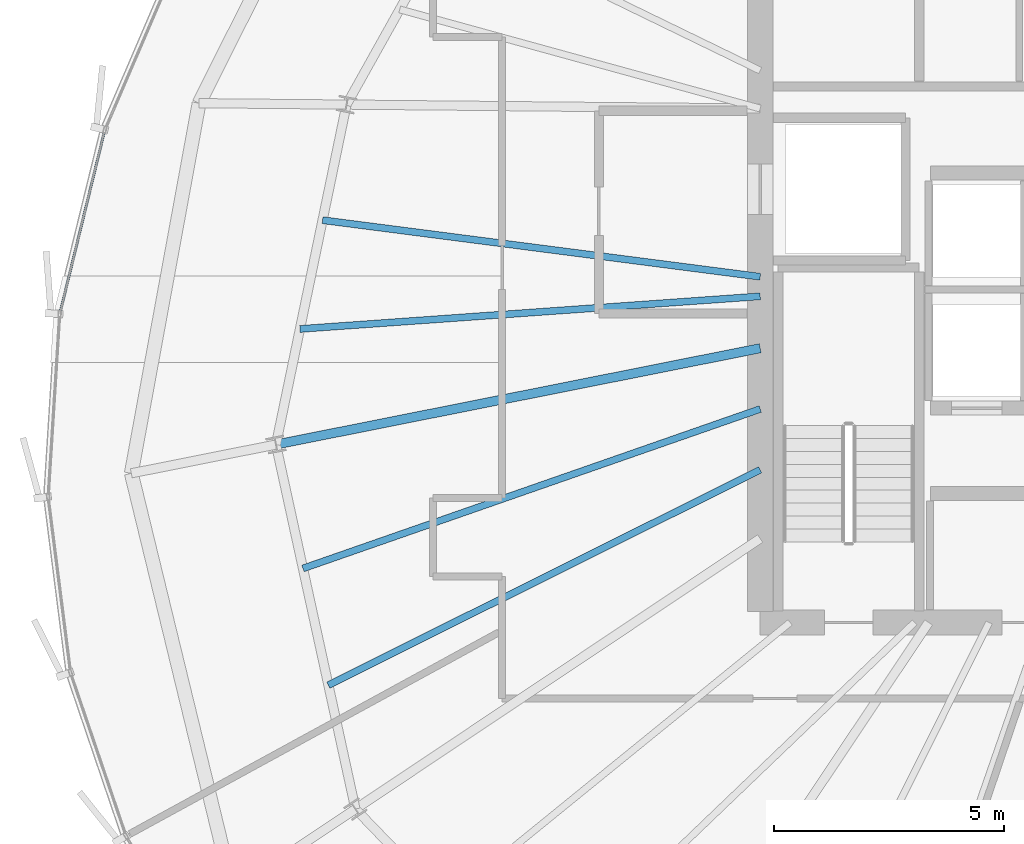
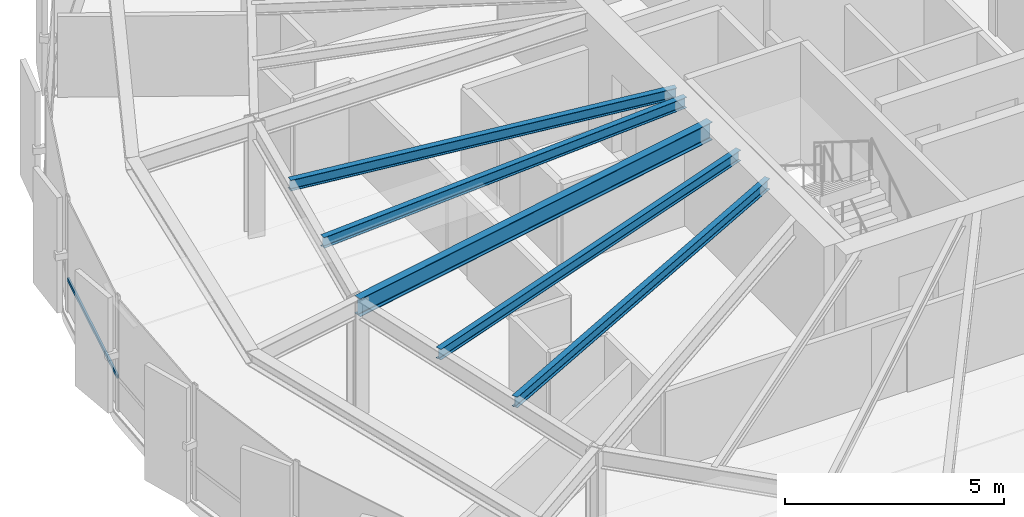
# One storey, part 10 of 34: 5 beams, 1 member, 1 element without a shape of its own.
"""IFC4 building model written with IfcOpenShell, lengths in metres."""

from ifc_helpers import new_model, si_unit, direction, frame, origin, origin_2d, place, context, subcontext, project, spatial, hollow_rectangle, i_section, extrude, source, transform, mapped, material, layer, layer_set, material_profile, profile_set, type_object, element, aggregate, save


model = new_model("IFC4")

# Units and contexts
model_context = context("Model", 3, precision=1e-05, world=origin(), true_north=direction((0.0, 1.0)))
body_context = subcontext(model_context, "Body", "Model", "MODEL_VIEW")
ifc_project = project(units=[si_unit("LENGTHUNIT", "METRE"), si_unit("AREAUNIT", "SQUARE_METRE"), si_unit("VOLUMEUNIT", "CUBIC_METRE"), si_unit("PLANEANGLEUNIT", "RADIAN"), si_unit("MASSUNIT", "GRAM", prefix="KILO"), si_unit("THERMODYNAMICTEMPERATUREUNIT", "KELVIN")], contexts=[model_context])

# Site, building, storey
site_placement = place(None, origin())
site = spatial("IfcSite", under=ifc_project, at=site_placement, CompositionType="ELEMENT")
building_placement = place(site_placement, origin())
building = spatial("IfcBuilding", under=site, at=building_placement, Name="Kethvar Cultural Tower", CompositionType="ELEMENT")
storey_placement = place(building_placement, frame((0.0, 0.0, 183.39990234375)))
storey = spatial("IfcBuildingStorey", under=building, at=storey_placement, Name="L47", CompositionType="ELEMENT", Elevation=183.39990234375)

# Beams
ifc_material_1 = material(Name="Steel S355J2", Category="steel")
ifc_material_profile_1 = material_profile(ifc_material_1, i_section(OverallWidth=0.199951171875, OverallDepth=0.5, WebThickness=0.01025390625, FlangeThickness=0.01611328125, FilletRadius=0.02099609375, at=origin_2d()), Name="Steel S355J2 — IPE500")
ifc_profile_set_1 = profile_set([ifc_material_profile_1], Name="Steel S355J2 — IPE500")
beam_type_1 = type_object("IfcBeamType", Name="BM-IPE500", PredefinedType="BEAM", material=ifc_profile_set_1)
shared_shape_1 = source(origin(), body_context, "Body", "SweptSolid", [
    extrude(i_section(OverallWidth=0.199951171875, OverallDepth=0.5, WebThickness=0.01025390625, FlangeThickness=0.01611328125, FilletRadius=0.02099609375, at=origin_2d()), origin(), (0.0, 0.0, 1.0), 10.712890625),
])
beam_1_placement = place(storey_placement, frame((38.0, 26.049560546875, 3.008056640625), z_axis=(-0.980787859831, -0.195077353908, 0.0), x_axis=(0.195077353908, -0.980787859831, 0.0)))
element("IfcBeam", 1, at=beam_1_placement, inside=storey, type_object=beam_type_1, Name="L47 Primary Radial Beam RB-09", PredefinedType="BEAM", context=body_context, shape_type="MappedRepresentation", body=[
    mapped(shared_shape_1, transform((0.0, 0.0, 0.0), scale=1.0)),
])
ifc_material_profile_2 = material_profile(ifc_material_1, i_section(OverallWidth=0.14990234375, OverallDepth=0.300048828125, WebThickness=0.007080078125, FlangeThickness=0.0107421875, FilletRadius=0.014892578125, at=origin_2d()), Name="Steel S355J2 — IPE300")
ifc_profile_set_2 = profile_set([ifc_material_profile_2], Name="Steel S355J2 — IPE300")
beam_type_2 = type_object("IfcBeamType", Name="BM-J300", PredefinedType="JOIST", material=ifc_profile_set_2)
shared_shape_2 = source(origin(), body_context, "Body", "SweptSolid", [
    extrude(i_section(OverallWidth=0.14990234375, OverallDepth=0.300048828125, WebThickness=0.007080078125, FlangeThickness=0.0107421875, FilletRadius=0.014892578125, at=origin_2d()), origin(), (0.0, 0.0, 1.0), 9.5751953125),
])
beam_2_placement = place(storey_placement, frame((38.0, 27.60009765625, 3.108154296875), z_axis=(-0.991744950922, 0.128226176424, 0.0), x_axis=(-0.128226176424, -0.991744950922, 0.0)))
element("IfcBeam", 2, at=beam_2_placement, inside=storey, type_object=beam_type_2, Name="L47 Composite Floor Joist J-08A", PredefinedType="JOIST", context=body_context, shape_type="MappedRepresentation", body=[
    mapped(shared_shape_2, transform((0.0, 0.0, 0.0), scale=1.0)),
])
shared_shape_3 = source(origin(), body_context, "Body", "SweptSolid", [
    extrude(i_section(OverallWidth=0.14990234375, OverallDepth=0.300048828125, WebThickness=0.007080078125, FlangeThickness=0.0107421875, FilletRadius=0.014892578125, at=origin_2d()), origin(), (0.0, 0.0, 1.0), 10.01123046875),
])
beam_3_placement = place(storey_placement, frame((38.0, 27.17578125, 3.108154296875), z_axis=(-0.997494349679, -0.070746182637, 0.0), x_axis=(0.070746182637, -0.997494349679, 0.0)))
element("IfcBeam", 3, at=beam_3_placement, inside=storey, type_object=beam_type_2, Name="L47 Composite Floor Joist J-08B", PredefinedType="JOIST", context=body_context, shape_type="MappedRepresentation", body=[
    mapped(shared_shape_3, transform((0.0, 0.0, 0.0), scale=1.0)),
])
shared_shape_4 = source(origin(), body_context, "Body", "SweptSolid", [
    extrude(i_section(OverallWidth=0.14990234375, OverallDepth=0.300048828125, WebThickness=0.007080078125, FlangeThickness=0.0107421875, FilletRadius=0.014892578125, at=origin_2d()), origin(), (0.0, 0.0, 1.0), 10.506591796875),
])
beam_4_placement = place(storey_placement, frame((38.0, 24.73095703125, 3.108154296875), z_axis=(-0.944221858738, -0.329310008171, 0.0), x_axis=(0.329310008171, -0.944221858738, 0.0)))
element("IfcBeam", 4, at=beam_4_placement, inside=storey, type_object=beam_type_2, Name="L47 Composite Floor Joist J-09A", PredefinedType="JOIST", context=body_context, shape_type="MappedRepresentation", body=[
    mapped(shared_shape_4, transform((0.0, 0.0, 0.0), scale=1.0)),
])
shared_shape_5 = source(origin(), body_context, "Body", "SweptSolid", [
    extrude(i_section(OverallWidth=0.14990234375, OverallDepth=0.300048828125, WebThickness=0.007080078125, FlangeThickness=0.0107421875, FilletRadius=0.014892578125, at=origin_2d()), origin(), (0.0, 0.0, 1.0), 10.468994140625),
])
beam_5_placement = place(storey_placement, frame((38.0, 23.412109375, 3.108154296875), z_axis=(-0.894916380948, -0.446233874904, 0.0), x_axis=(0.446233874904, -0.894916380948, 0.0)))
element("IfcBeam", 5, at=beam_5_placement, inside=storey, type_object=beam_type_2, Name="L47 Composite Floor Joist J-09B", PredefinedType="JOIST", context=body_context, shape_type="MappedRepresentation", body=[
    mapped(shared_shape_5, transform((0.0, 0.0, 0.0), scale=1.0)),
])

# Curtain wall, member
ifc_material_2 = material(Name="Aluminium 6063-T6", Category="aluminium")
ifc_layer = layer(ifc_material_2, 0.179931640625, Name="Aluminium 6063-T6", Category="aluminium")
ifc_layer_set = layer_set([ifc_layer], Name="Aluminium 6063-T6 (180 mm)")
curtain_wall_type = type_object("IfcCurtainWallType", Name="CW-SYS-04-Z34", PredefinedType="NOTDEFINED", material=ifc_layer_set)
curtain_wall_placement = place(storey_placement, origin())
curtain_wall = element("IfcCurtainWall", 6, at=curtain_wall_placement, inside=storey, type_object=curtain_wall_type, Name="L47 Curtain Wall Run 03", PredefinedType="NOTDEFINED")
ifc_material_profile_3 = material_profile(ifc_material_2, hollow_rectangle(XDim=0.050048828125, YDim=0.10009765625, WallThickness=0.00390625, at=origin_2d()), Name="Aluminium 6063-T6 — RHS100x50x4")
ifc_profile_set_3 = profile_set([ifc_material_profile_3], Name="Aluminium 6063-T6 — RHS100x50x4")
member_type = type_object("IfcMemberType", Name="CW-SYS-04-Z34-TRN", PredefinedType="USERDEFINED", material=ifc_profile_set_3)
shared_shape_6 = source(origin(), body_context, "Body", "SweptSolid", [
    extrude(hollow_rectangle(XDim=0.050048828125, YDim=0.10009765625, WallThickness=0.00390625, at=origin_2d()), origin(), (0.0, 0.0, 1.0), 4.050048828125),
])
member_placement = place(storey_placement, frame((23.77099609375, 30.748779296875, 0.9501953125), z_axis=(-0.237809537249, -0.971311805752, 0.0), x_axis=(0.971311805752, -0.237809537249, 0.0)))
member = element("IfcMember", 7, at=member_placement, type_object=member_type, Name="CW-L47-R03 Transom 2", ObjectType="TRANSOM", PredefinedType="USERDEFINED", context=body_context, shape_type="MappedRepresentation", body=[
    mapped(shared_shape_6, transform((0.0, 0.0, 0.0), scale=1.0)),
])
aggregate(curtain_wall, [member])

save(model, "model.ifc")
